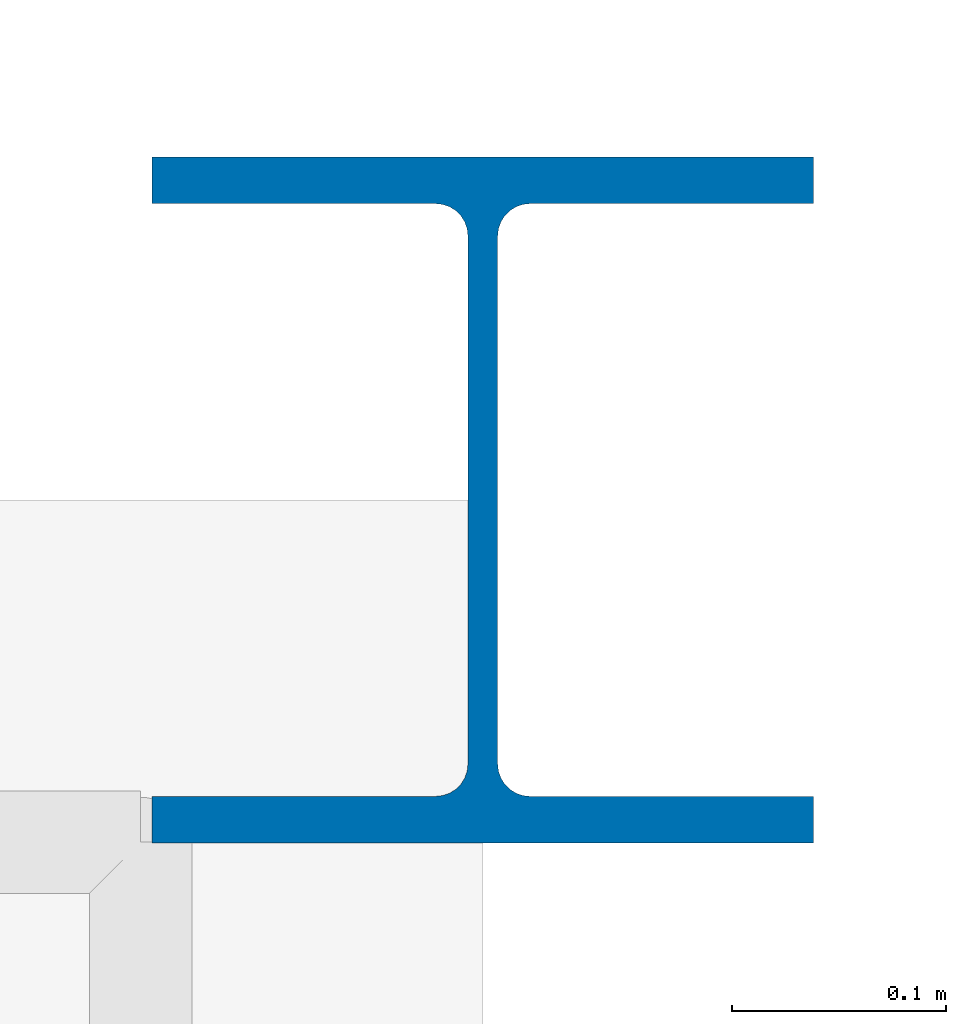
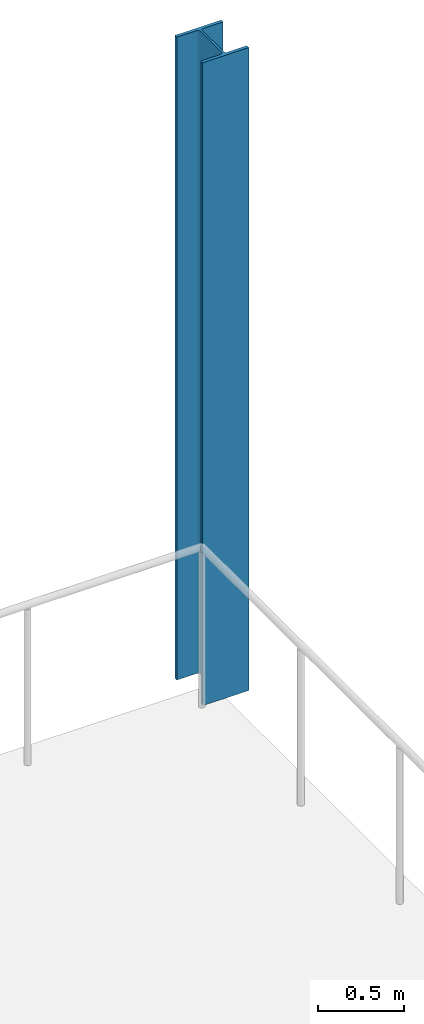
# One storey, part 10 of 77: 1 column.
"""IFC4 building model written with IfcOpenShell, lengths in metres."""

from ifc_helpers import new_model, si_unit, direction, frame, origin, origin_2d, place, context, subcontext, project, spatial, i_section, extrude, material, material_profile, profile_set, type_object, element, save


model = new_model("IFC4")

# Units and contexts
model_context = context("Model", 3, precision=1e-05, world=origin(), true_north=direction((0.0, 1.0)))
body_context = subcontext(model_context, "Body", "Model", "MODEL_VIEW")
ifc_project = project(units=[si_unit("LENGTHUNIT", "METRE"), si_unit("AREAUNIT", "SQUARE_METRE"), si_unit("VOLUMEUNIT", "CUBIC_METRE"), si_unit("PLANEANGLEUNIT", "RADIAN"), si_unit("MASSUNIT", "GRAM", prefix="KILO")], contexts=[model_context])

# Site, building, storey
site_placement = place(None, origin())
site = spatial("IfcSite", under=ifc_project, at=site_placement, CompositionType="ELEMENT")
building_placement = place(site_placement, origin())
building = spatial("IfcBuilding", under=site, at=building_placement, Name="Larkveld Mobility Hub", CompositionType="ELEMENT")
storey_placement = place(building_placement, frame((0.0, 0.0, 12.0)))
storey = spatial("IfcBuildingStorey", under=building, at=storey_placement, Name="L03", CompositionType="ELEMENT", Elevation=12.0)

# Column
ifc_material = material(Name="Steel S355JR", Category="steel")
ifc_material_profile = material_profile(ifc_material, i_section(OverallWidth=0.30908203125, OverallDepth=0.320556640625, WebThickness=0.013916015625, FlangeThickness=0.021728515625, FilletRadius=0.01513671875, at=origin_2d()), Name="UC 305x305x137")
ifc_profile_set = profile_set([ifc_material_profile], Name="Steel S355JR")
column_type = type_object("IfcColumnType", Name="CL-STUC305", PredefinedType="COLUMN", material=ifc_profile_set)
column_placement = place(storey_placement, frame((152.0, 112.0, 0.0), z_axis=(0.0, 0.0, 1.0), x_axis=(1.0, 0.0, 0.0)))
element("IfcColumn", 1, at=column_placement, inside=storey, type_object=column_type, Name="Sawtooth West Truss Post B7-W", PredefinedType="COLUMN", context=body_context, shape_type="SweptSolid", body=[
    extrude(i_section(OverallWidth=0.30908203125, OverallDepth=0.320556640625, WebThickness=0.013916015625, FlangeThickness=0.021728515625, FilletRadius=0.01513671875, at=origin_2d()), origin(), (0.0, 0.0, 1.0), 4.550048828125),
])

save(model, "model.ifc")
